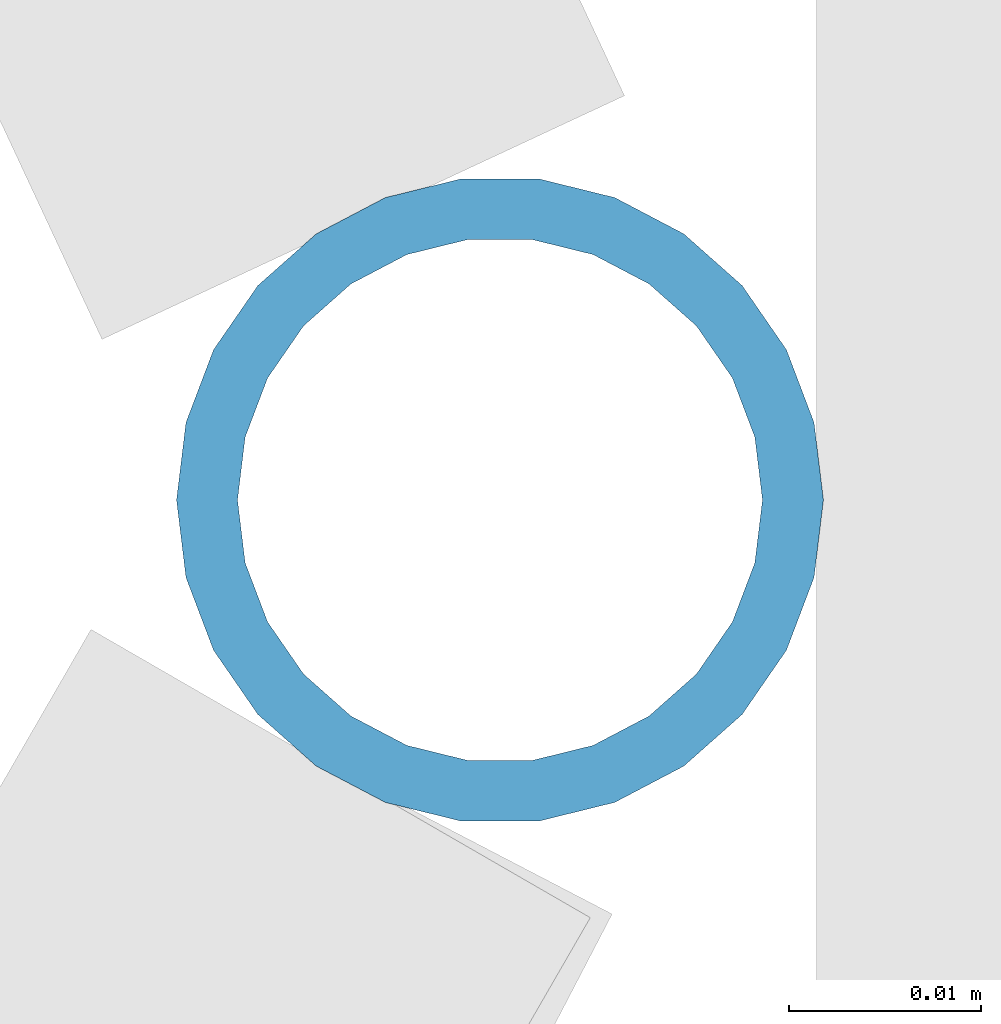
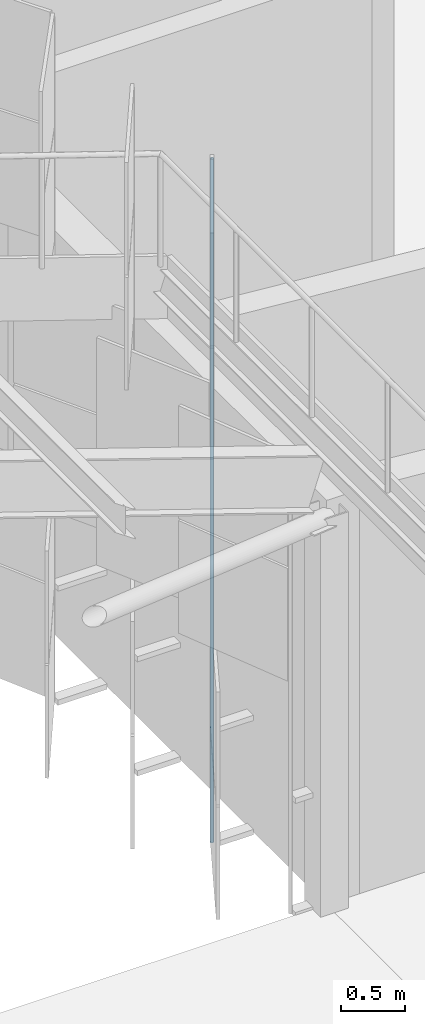
# One storey, part 188 of 483: 1 discrete accessory.
"""IFC4 building model written with IfcOpenShell, lengths in metres."""

from ifc_helpers import new_model, si_unit, direction, frame, origin, origin_2d, place, context, subcontext, project, spatial, hollow_circle, extrude, material, material_profile, profile_set, type_object, element, save


model = new_model("IFC4")

# Units and contexts
model_context = context("Model", 3, precision=1e-05, world=origin(), true_north=direction((0.0, 1.0)))
body_context = subcontext(model_context, "Body", "Model", "MODEL_VIEW")
ifc_project = project(units=[si_unit("LENGTHUNIT", "METRE"), si_unit("AREAUNIT", "SQUARE_METRE"), si_unit("VOLUMEUNIT", "CUBIC_METRE"), si_unit("PLANEANGLEUNIT", "RADIAN"), si_unit("MASSUNIT", "GRAM", prefix="KILO")], contexts=[model_context])

# Site, building, storey
site_placement = place(None, origin())
site = spatial("IfcSite", under=ifc_project, at=site_placement, CompositionType="ELEMENT")
building_placement = place(site_placement, origin())
building = spatial("IfcBuilding", under=site, at=building_placement, Name="Parallax Yard Mobility Hub", CompositionType="ELEMENT")
storey_placement = place(building_placement, frame((0.0, 0.0, 13.199951171875)))
storey = spatial("IfcBuildingStorey", under=building, at=storey_placement, Name="L04", CompositionType="ELEMENT", Elevation=13.199951171875)

# Discrete accessory
ifc_material = material(Name="Steel ASTM A500 Gr C, hot-dip galvanised", Category="steel")
ifc_material_profile = material_profile(ifc_material, hollow_circle(Radius=0.016845703125, WallThickness=0.003173828125, at=origin_2d()), Name="CHS 33.7x3.2")
ifc_profile_set = profile_set([ifc_material_profile], Name="Steel ASTM A500 Gr C, hot-dip galvanised")
discrete_accessory_type = type_object("IfcDiscreteAccessoryType", Name="Hinge post CHS 33.7x3.2", PredefinedType="BRACKET", material=ifc_profile_set)
discrete_accessory_placement = place(storey_placement, frame((194.65234375, 76.197509765625, 0.0), z_axis=(0.0, 0.0, 1.0), x_axis=(1.0, 0.0, 0.0)))
element("IfcDiscreteAccessory", 1, at=discrete_accessory_placement, inside=storey, type_object=discrete_accessory_type, Name="Hinge post bay 23.13 level L04", PredefinedType="BRACKET", context=body_context, shape_type="SweptSolid", body=[
    extrude(hollow_circle(Radius=0.016845703125, WallThickness=0.003173828125, at=origin_2d()), origin(), (0.0, 0.0, 1.0), 6.550048828125),
])

save(model, "model.ifc")
